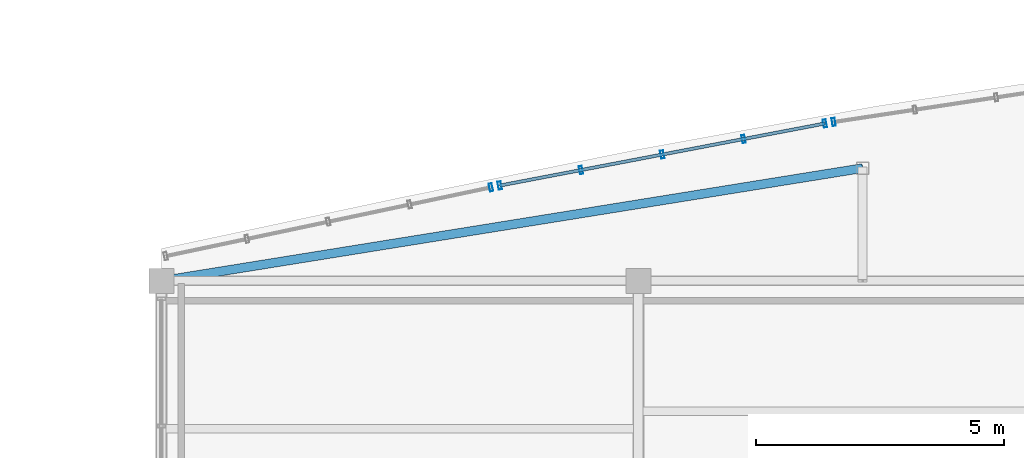
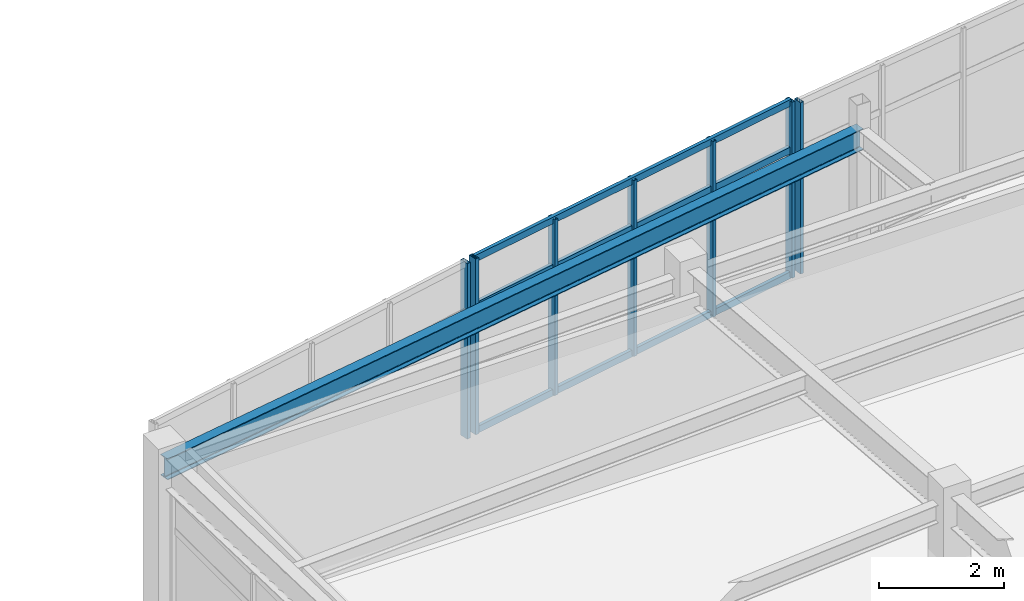
# One storey, part 38 of 65: 11 members, 3 elements without a shape of their own.
"""IFC4 building model written with IfcOpenShell, lengths in metres."""

from ifc_helpers import new_model, si_unit, direction, frame, origin, origin_2d, place, context, subcontext, project, spatial, hollow_rectangle, i_section, extrude, material, layer, layer_set, material_profile, profile_set, type_object, element, aggregate, save


model = new_model("IFC4")

# Units and contexts
model_context = context("Model", 3, precision=1e-05, world=origin(), true_north=direction((0.0, 1.0)))
body_context = subcontext(model_context, "Body", "Model", "MODEL_VIEW")
ifc_project = project(units=[si_unit("LENGTHUNIT", "METRE"), si_unit("AREAUNIT", "SQUARE_METRE"), si_unit("VOLUMEUNIT", "CUBIC_METRE"), si_unit("PLANEANGLEUNIT", "RADIAN"), si_unit("MASSUNIT", "GRAM", prefix="KILO")], contexts=[model_context])

# Site, building, storey
site_placement = place(None, origin())
site = spatial("IfcSite", under=ifc_project, at=site_placement, CompositionType="ELEMENT")
building_placement = place(site_placement, origin())
building = spatial("IfcBuilding", under=site, at=building_placement, Name="Chalmorin Arch Market", CompositionType="ELEMENT")
storey_placement = place(building_placement, frame((0.0, 0.0, 14.10009765625)))
storey = spatial("IfcBuildingStorey", under=building, at=storey_placement, Name="L03", CompositionType="ELEMENT", Elevation=14.10009765625)

# Curtain wall, member
ifc_material_1 = material(Name="Aluminium 6063-T6", Category="aluminium")
ifc_layer_1 = layer(ifc_material_1, 0.159912109375)
ifc_layer_set_1 = layer_set([ifc_layer_1], Name="Aluminium 6063-T6")
curtain_wall_type_1 = type_object("IfcCurtainWallType", Name="CulinaryStudioCurtainWall-CW3-6690x3420", PredefinedType="NOTDEFINED", material=ifc_layer_set_1)
curtain_wall_1_placement = place(storey_placement, origin())
curtain_wall_1 = element("IfcCurtainWall", 1, at=curtain_wall_1_placement, inside=storey, type_object=curtain_wall_type_1, Name="CW-03-123", PredefinedType="NOTDEFINED")
ifc_material_profile_1 = material_profile(ifc_material_1, hollow_rectangle(XDim=0.06494140625, YDim=0.159912109375, WallThickness=0.00390625, at=origin_2d()), Name="ALU65X160X4")
ifc_profile_set_1 = profile_set([ifc_material_profile_1], Name="Aluminium 6063-T6")
member_type_1 = type_object("IfcMemberType", Name="CurtainWallMullion-65x160", PredefinedType="MULLION", material=ifc_profile_set_1)
member_1_placement = place(storey_placement, frame((54.6318359375, 119.88232421875, -0.02001953125), z_axis=(0.0, 0.0, 1.0), x_axis=(0.978147600734, 0.207911690818, 0.0)))
member_1 = element("IfcMember", 2, at=member_1_placement, type_object=member_type_1, Name="ML-123-05", PredefinedType="MULLION", context=body_context, shape_type="SweptSolid", body=[
    extrude(hollow_rectangle(XDim=0.06494140625, YDim=0.159912109375, WallThickness=0.00390625, at=origin_2d()), origin(), (0.0, 0.0, 1.0), 3.416015625),
])
aggregate(curtain_wall_1, [member_1])

# Curtain wall, members
ifc_layer_2 = layer(ifc_material_1, 0.159912109375)
ifc_layer_set_2 = layer_set([ifc_layer_2], Name="Aluminium 6063-T6")
curtain_wall_type_2 = type_object("IfcCurtainWallType", Name="CulinaryStudioCurtainWall-CW3-6660x3420", PredefinedType="NOTDEFINED", material=ifc_layer_set_2)
curtain_wall_2_placement = place(storey_placement, origin())
curtain_wall_2 = element("IfcCurtainWall", 3, at=curtain_wall_2_placement, inside=storey, type_object=curtain_wall_type_2, Name="CW-03-126", PredefinedType="NOTDEFINED")
member_2_placement = place(storey_placement, frame((54.808349609375, 119.91796875, -0.02001953125), z_axis=(0.0, 0.0, 1.0), x_axis=(0.981627183448, 0.190808995377, 0.0)))
member_2 = element("IfcMember", 4, at=member_2_placement, type_object=member_type_1, Name="ML-126-01", PredefinedType="MULLION", context=body_context, shape_type="SweptSolid", body=[
    extrude(hollow_rectangle(XDim=0.06494140625, YDim=0.159912109375, WallThickness=0.00390625, at=origin_2d()), origin(), (0.0, 0.0, 1.0), 3.4208984375),
])
member_3_placement = place(storey_placement, frame((56.444091796875, 120.230224609375, -0.02001953125), z_axis=(0.0, 0.0, 1.0), x_axis=(0.981627183448, 0.190808995377, 0.0)))
member_3 = element("IfcMember", 5, at=member_3_placement, type_object=member_type_1, Name="ML-126-02", PredefinedType="MULLION", context=body_context, shape_type="SweptSolid", body=[
    extrude(hollow_rectangle(XDim=0.06494140625, YDim=0.159912109375, WallThickness=0.00390625, at=origin_2d()), origin(), (0.0, 0.0, 1.0), 3.4208984375),
])
member_4_placement = place(storey_placement, frame((58.080078125, 120.54248046875, -0.02001953125), z_axis=(0.0, 0.0, 1.0), x_axis=(0.981627183448, 0.190808995377, 0.0)))
member_4 = element("IfcMember", 6, at=member_4_placement, type_object=member_type_1, Name="ML-126-03", PredefinedType="MULLION", context=body_context, shape_type="SweptSolid", body=[
    extrude(hollow_rectangle(XDim=0.06494140625, YDim=0.159912109375, WallThickness=0.00390625, at=origin_2d()), origin(), (0.0, 0.0, 1.0), 3.4208984375),
])
member_5_placement = place(storey_placement, frame((59.7158203125, 120.854736328125, -0.02001953125), z_axis=(0.0, 0.0, 1.0), x_axis=(0.981627183448, 0.190808995377, 0.0)))
member_5 = element("IfcMember", 7, at=member_5_placement, type_object=member_type_1, Name="ML-126-04", PredefinedType="MULLION", context=body_context, shape_type="SweptSolid", body=[
    extrude(hollow_rectangle(XDim=0.06494140625, YDim=0.159912109375, WallThickness=0.00390625, at=origin_2d()), origin(), (0.0, 0.0, 1.0), 3.4208984375),
])
member_6_placement = place(storey_placement, frame((61.3515625, 121.1669921875, -0.02001953125), z_axis=(0.0, 0.0, 1.0), x_axis=(0.981627183448, 0.190808995377, 0.0)))
member_6 = element("IfcMember", 8, at=member_6_placement, type_object=member_type_1, Name="ML-126-05", PredefinedType="MULLION", context=body_context, shape_type="SweptSolid", body=[
    extrude(hollow_rectangle(XDim=0.06494140625, YDim=0.159912109375, WallThickness=0.00390625, at=origin_2d()), origin(), (0.0, 0.0, 1.0), 3.4208984375),
])

# Curtain wall, member
ifc_layer_3 = layer(ifc_material_1, 0.159912109375)
ifc_layer_set_3 = layer_set([ifc_layer_3], Name="Aluminium 6063-T6")
curtain_wall_type_3 = type_object("IfcCurtainWallType", Name="CulinaryStudioCurtainWall-CW3-6620x3330", PredefinedType="NOTDEFINED", material=ifc_layer_set_3)
curtain_wall_3_placement = place(storey_placement, origin())
curtain_wall_3 = element("IfcCurtainWall", 9, at=curtain_wall_3_placement, inside=storey, type_object=curtain_wall_type_3, Name="CW-03-129", PredefinedType="NOTDEFINED")
member_7_placement = place(storey_placement, frame((61.529052734375, 121.197509765625, -0.02001953125), z_axis=(0.0, 0.0, 1.0), x_axis=(0.987688340595, 0.15643446504, 0.0)))
member_7 = element("IfcMember", 10, at=member_7_placement, type_object=member_type_1, Name="ML-129-01", PredefinedType="MULLION", context=body_context, shape_type="SweptSolid", body=[
    extrude(hollow_rectangle(XDim=0.06494140625, YDim=0.159912109375, WallThickness=0.00390625, at=origin_2d()), origin(), (0.0, 0.0, 1.0), 3.3330078125),
])
aggregate(curtain_wall_3, [member_7])

# Member
ifc_material_profile_2 = material_profile(ifc_material_1, hollow_rectangle(XDim=0.06494140625, YDim=0.1298828125, WallThickness=0.00390625, at=origin_2d()), Name="ALU65X130X4")
ifc_profile_set_2 = profile_set([ifc_material_profile_2], Name="Aluminium 6063-T6")
member_type_2 = type_object("IfcMemberType", Name="CurtainWallTransom-65x130", PredefinedType="USERDEFINED", material=ifc_profile_set_2)
member_8_placement = place(storey_placement, frame((54.808349609375, 119.91796875, 0.014892578125), z_axis=(0.982264065399, 0.187502815514, 0.0), x_axis=(-0.187502815514, 0.982264065399, 0.0)))
member_8 = element("IfcMember", 11, at=member_8_placement, type_object=member_type_2, Name="TR-126-01", ObjectType="TRANSOM", PredefinedType="USERDEFINED", context=body_context, shape_type="SweptSolid", body=[
    extrude(hollow_rectangle(XDim=0.06494140625, YDim=0.1298828125, WallThickness=0.00390625, at=origin_2d()), origin(), (0.0, 0.0, 1.0), 6.661376953125),
])

member_9_placement = place(storey_placement, frame((54.808349609375, 119.91796875, 2.443115234375), z_axis=(0.982264065399, 0.187502815514, 0.0), x_axis=(-0.187502815514, 0.982264065399, 0.0)))
member_9 = element("IfcMember", 12, at=member_9_placement, type_object=member_type_2, Name="TR-126-02", ObjectType="TRANSOM", PredefinedType="USERDEFINED", context=body_context, shape_type="SweptSolid", body=[
    extrude(hollow_rectangle(XDim=0.06494140625, YDim=0.1298828125, WallThickness=0.00390625, at=origin_2d()), origin(), (0.0, 0.0, 1.0), 6.661376953125),
])

member_10_placement = place(storey_placement, frame((54.808349609375, 119.91796875, 3.365966796875), z_axis=(0.982264065399, 0.187502815514, 0.0), x_axis=(-0.187502815514, 0.982264065399, 0.0)))
member_10 = element("IfcMember", 13, at=member_10_placement, type_object=member_type_2, Name="TR-126-03", ObjectType="TRANSOM", PredefinedType="USERDEFINED", context=body_context, shape_type="SweptSolid", body=[
    extrude(hollow_rectangle(XDim=0.06494140625, YDim=0.1298828125, WallThickness=0.00390625, at=origin_2d()), origin(), (0.0, 0.0, 1.0), 6.661376953125),
])

aggregate(curtain_wall_2, [member_2, member_3, member_4, member_5, member_6, member_8, member_9, member_10])

ifc_material_2 = material(Name="Steel A992 Grade 50", Category="steel")
ifc_material_profile_3 = material_profile(ifc_material_2, i_section(OverallWidth=0.178955078125, OverallDepth=0.409912109375, WebThickness=0.0087890625, FlangeThickness=0.014404296875, FilletRadius=0.01806640625, at=origin_2d()), Name="W16X45")
ifc_profile_set_3 = profile_set([ifc_material_profile_3], Name="Steel A992 Grade 50")
member_type_3 = type_object("IfcMemberType", Name="RoofSteelPurlin-W16X45", PredefinedType="PURLIN", material=ifc_profile_set_3)
member_11_placement = place(storey_placement, frame((48.0, 118.0, 2.844970703125), z_axis=(0.987287094148, 0.158743425999, 0.008044776592), x_axis=(-0.158748563061, 0.987319043535, 0.0)))
element("IfcMember", 14, at=member_11_placement, inside=storey, type_object=member_type_3, Name="PR-W16-0126", PredefinedType="PURLIN", context=body_context, shape_type="SweptSolid", body=[
    extrude(i_section(OverallWidth=0.178955078125, OverallDepth=0.409912109375, WebThickness=0.0087890625, FlangeThickness=0.014404296875, FilletRadius=0.01806640625, at=origin_2d()), origin(), (0.0, 0.0, 1.0), 14.293701171875),
])

save(model, "model.ifc")
